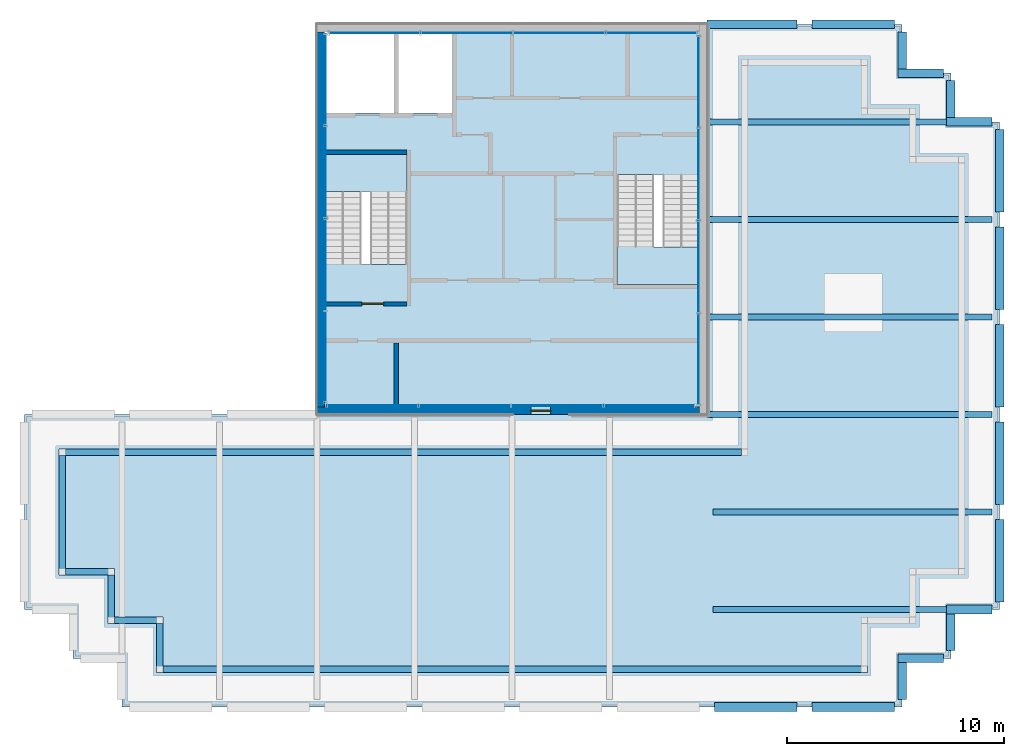
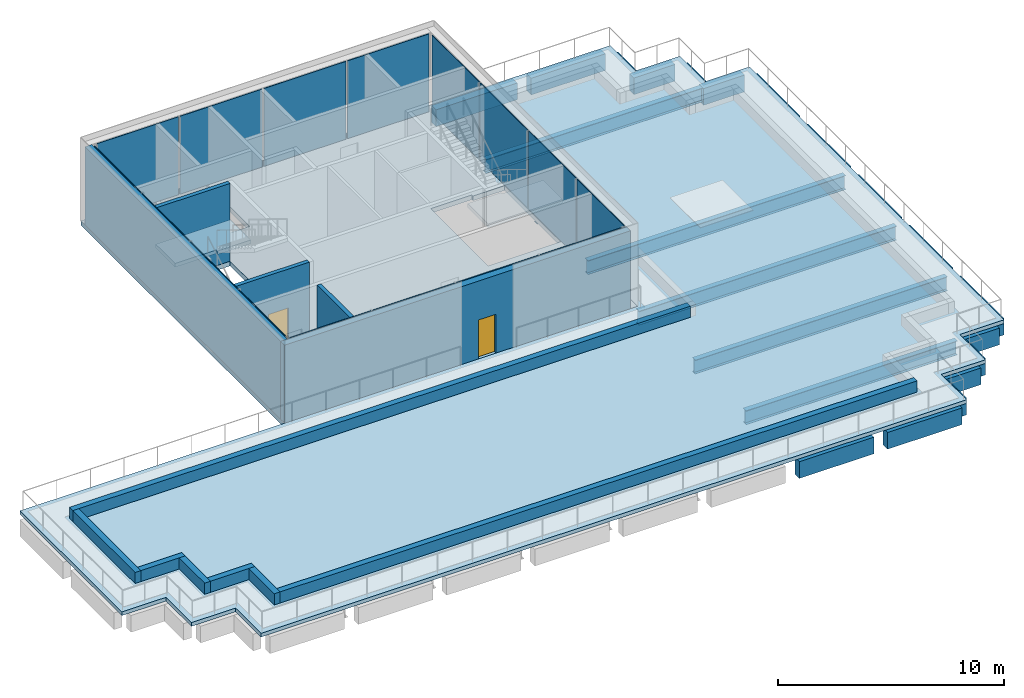
# One storey, part 8 of 11: 23 beams, 16 plates, 12 walls, 4 slabs, 2 doors, 2 openings, 6 elements without a shape of their own.
"""IFC4 building model written with IfcOpenShell, lengths in metres."""

from ifc_helpers import new_model, si_unit, direction, frame, frame_2d, origin, origin_2d, place, context, subcontext, project, spatial, polyline, rectangle, i_section, outline, extrude, material, layer, layer_set, material_profile, profile_set, type_object, element, fill, aggregate, save


model = new_model("IFC4")

# Units and contexts
model_context = context("Model", 3, precision=1e-05, world=origin(), true_north=direction((0.0, 1.0)))
body_context = subcontext(model_context, "Body", "Model", "MODEL_VIEW")
ifc_project = project(units=[si_unit("LENGTHUNIT", "METRE"), si_unit("AREAUNIT", "SQUARE_METRE"), si_unit("VOLUMEUNIT", "CUBIC_METRE"), si_unit("PLANEANGLEUNIT", "RADIAN"), si_unit("MASSUNIT", "GRAM", prefix="KILO")], contexts=[model_context])

# Site, building, storey
site_placement = place(None, origin())
site = spatial("IfcSite", under=ifc_project, at=site_placement, CompositionType="ELEMENT")
building_placement = place(site_placement, origin())
building = spatial("IfcBuilding", under=site, at=building_placement, Name="Altepetl Exchange Towers", CompositionType="ELEMENT")
storey_placement = place(building_placement, frame((0.0, 0.0, 274.60009765625)))
storey = spatial("IfcBuildingStorey", under=building, at=storey_placement, Name="L69 Crown plant", CompositionType="ELEMENT", Elevation=274.60009765625)

# Beams
ifc_material_1 = material(Name="Steel S355", Category="steel")
ifc_material_profile_1 = material_profile(ifc_material_1, i_section(OverallWidth=0.26611328125, OverallDepth=0.758056640625, WebThickness=0.013916015625, FlangeThickness=0.019287109375, at=origin_2d()), Name="W30X108")
ifc_profile_set_1 = profile_set([ifc_material_profile_1], Name="Steel S355")
beam_type_1 = type_object("IfcBeamType", Name="Floor beam W30X108", PredefinedType="BEAM", material=ifc_profile_set_1)
beam_1_placement = place(storey_placement, frame((58.77490234375, 31.5, -0.5791015625), z_axis=(1.0, 0.0, 0.0), x_axis=(0.0, 1.0, 0.0)))
element("IfcBeam", 1, at=beam_1_placement, inside=storey, type_object=beam_type_1, Name="bm:A:L69:t000", PredefinedType="BEAM", context=body_context, shape_type="SweptSolid", body=[
    extrude(i_section(OverallWidth=0.26611328125, OverallDepth=0.758056640625, WebThickness=0.013916015625, FlangeThickness=0.019287109375, at=origin_2d()), origin(), (0.0, 0.0, 1.0), 10.775146484375),
])
beam_2_placement = place(storey_placement, frame((58.77490234375, 36.0, -0.5791015625), z_axis=(1.0, 0.0, 0.0), x_axis=(0.0, 1.0, 0.0)))
element("IfcBeam", 2, at=beam_2_placement, inside=storey, type_object=beam_type_1, Name="bm:A:L69:t001", PredefinedType="BEAM", context=body_context, shape_type="SweptSolid", body=[
    extrude(i_section(OverallWidth=0.26611328125, OverallDepth=0.758056640625, WebThickness=0.013916015625, FlangeThickness=0.019287109375, at=origin_2d()), origin(), (0.0, 0.0, 1.0), 12.875),
])
for number, where, z_axis, x_axis, name in (
    (3, (58.5, 40.5, -0.5791015625), (1.0, 0.0, 0.0), (0.0, 1.0, 0.0), "bm:A:L69:t002"),
    (4, (58.5, 45.0, -0.5791015625), (1.0, 0.0, 0.0), (0.0, 1.0, 0.0), "bm:A:L69:t003"),
    (5, (58.5, 49.5, -0.5791015625), (1.0, 0.0, 0.0), (0.0, 1.0, 0.0), "bm:A:L69:t004"),
):
    element("IfcBeam", number, at=place(storey_placement, frame(where, z_axis=z_axis, x_axis=x_axis)), inside=storey, type_object=beam_type_1, Name=name, PredefinedType="BEAM", context=body_context, shape_type="SweptSolid", body=[
        extrude(i_section(OverallWidth=0.26611328125, OverallDepth=0.758056640625, WebThickness=0.013916015625, FlangeThickness=0.019287109375, at=origin_2d()), origin(), (0.0, 0.0, 1.0), 13.14990234375),
    ])
beam_3_placement = place(storey_placement, frame((58.5, 54.0, -0.5791015625), z_axis=(1.0, 0.0, 0.0), x_axis=(0.0, 1.0, 0.0)))
element("IfcBeam", 6, at=beam_3_placement, inside=storey, type_object=beam_type_1, Name="bm:A:L69:t005", PredefinedType="BEAM", context=body_context, shape_type="SweptSolid", body=[
    extrude(i_section(OverallWidth=0.26611328125, OverallDepth=0.758056640625, WebThickness=0.013916015625, FlangeThickness=0.019287109375, at=origin_2d()), origin(), (0.0, 0.0, 1.0), 11.050048828125),
])
ifc_material_2 = material(Name="Concrete C50/60 precast with cantera amarilla facing", Category="concrete")
ifc_material_profile_2 = material_profile(ifc_material_2, rectangle(XDim=0.39990234375, YDim=0.89990234375, at=origin_2d()), Name="400 x 900")
ifc_profile_set_2 = profile_set([ifc_material_profile_2], Name="Concrete C50/60 precast with cantera amarilla facing")
beam_type_2 = type_object("IfcBeamType", Name="Spandrel beam 400x900 cantera amarilla", PredefinedType="SPANDREL", material=ifc_profile_set_2)
for number, where, z_axis, x_axis, name in (
    (7, (58.85009765625, 27.0, -0.650146484375), (1.0, 0.0, 0.0), (0.0, 1.0, 0.0), "sp:A:L69:t006"),
    (8, (63.35009765625, 27.0, -0.650146484375), (1.0, 0.0, 0.0), (0.0, 1.0, 0.0), "sp:A:L69:t007"),
):
    element("IfcBeam", number, at=place(storey_placement, frame(where, z_axis=z_axis, x_axis=x_axis)), inside=storey, type_object=beam_type_2, Name=name, PredefinedType="SPANDREL", context=body_context, shape_type="SweptSolid", body=[
        extrude(rectangle(XDim=0.39990234375, YDim=0.89990234375, at=origin_2d()), origin(), (0.0, 0.0, 1.0), 3.7998046875),
    ])
beam_4_placement = place(storey_placement, frame((67.5, 27.35009765625, -0.650146484375), z_axis=(0.0, 1.0, 0.0), x_axis=(-1.0, 0.0, 0.0)))
element("IfcBeam", 9, at=beam_4_placement, inside=storey, type_object=beam_type_2, Name="sp:A:L69:t008", PredefinedType="SPANDREL", context=body_context, shape_type="SweptSolid", body=[
    extrude(rectangle(XDim=0.39990234375, YDim=0.89990234375, at=origin_2d()), origin(), (0.0, 0.0, 1.0), 1.699951171875),
])
beam_5_placement = place(storey_placement, frame((67.300048828125, 29.25, -0.650146484375), z_axis=(1.0, 0.0, 0.0), x_axis=(0.0, 1.0, 0.0)))
element("IfcBeam", 10, at=beam_5_placement, inside=storey, type_object=beam_type_2, Name="sp:A:L69:t009", PredefinedType="SPANDREL", context=body_context, shape_type="SweptSolid", body=[
    extrude(rectangle(XDim=0.39990234375, YDim=0.89990234375, at=origin_2d()), origin(), (0.0, 0.0, 1.0), 2.099853515625),
])
beam_6_placement = place(storey_placement, frame((69.75, 29.60009765625, -0.650146484375), z_axis=(0.0, 1.0, 0.0), x_axis=(-1.0, 0.0, 0.0)))
element("IfcBeam", 11, at=beam_6_placement, inside=storey, type_object=beam_type_2, Name="sp:A:L69:t010", PredefinedType="SPANDREL", context=body_context, shape_type="SweptSolid", body=[
    extrude(rectangle(XDim=0.39990234375, YDim=0.89990234375, at=origin_2d()), origin(), (0.0, 0.0, 1.0), 1.699951171875),
])
beam_7_placement = place(storey_placement, frame((69.550048828125, 31.5, -0.650146484375), z_axis=(1.0, 0.0, 0.0), x_axis=(0.0, 1.0, 0.0)))
element("IfcBeam", 12, at=beam_7_placement, inside=storey, type_object=beam_type_2, Name="sp:A:L69:t011", PredefinedType="SPANDREL", context=body_context, shape_type="SweptSolid", body=[
    extrude(rectangle(XDim=0.39990234375, YDim=0.89990234375, at=origin_2d()), origin(), (0.0, 0.0, 1.0), 2.099853515625),
])
for number, where, z_axis, x_axis, name in (
    (13, (72.0, 31.85009765625, -0.650146484375), (0.0, 1.0, 0.0), (-1.0, 0.0, 0.0), "sp:A:L69:t012"),
    (14, (72.0, 36.35009765625, -0.650146484375), (0.0, 1.0, 0.0), (-1.0, 0.0, 0.0), "sp:A:L69:t013"),
    (15, (72.0, 40.85009765625, -0.650146484375), (0.0, 1.0, 0.0), (-1.0, 0.0, 0.0), "sp:A:L69:t014"),
    (16, (72.0, 45.35009765625, -0.650146484375), (0.0, 1.0, 0.0), (-1.0, 0.0, 0.0), "sp:A:L69:t015"),
    (17, (72.0, 49.85009765625, -0.650146484375), (0.0, 1.0, 0.0), (-1.0, 0.0, 0.0), "sp:A:L69:t016"),
):
    element("IfcBeam", number, at=place(storey_placement, frame(where, z_axis=z_axis, x_axis=x_axis)), inside=storey, type_object=beam_type_2, Name=name, PredefinedType="SPANDREL", context=body_context, shape_type="SweptSolid", body=[
        extrude(rectangle(XDim=0.39990234375, YDim=0.89990234375, at=origin_2d()), origin(), (0.0, 0.0, 1.0), 3.7998046875),
    ])
beam_8_placement = place(storey_placement, frame((71.64990234375, 54.0, -0.650146484375), z_axis=(-1.0, 0.0, 0.0), x_axis=(0.0, -1.0, 0.0)))
element("IfcBeam", 18, at=beam_8_placement, inside=storey, type_object=beam_type_2, Name="sp:A:L69:t017", PredefinedType="SPANDREL", context=body_context, shape_type="SweptSolid", body=[
    extrude(rectangle(XDim=0.39990234375, YDim=0.89990234375, at=origin_2d()), origin(), (0.0, 0.0, 1.0), 2.099853515625),
])
beam_9_placement = place(storey_placement, frame((69.75, 54.199951171875, -0.650146484375), z_axis=(0.0, 1.0, 0.0), x_axis=(-1.0, 0.0, 0.0)))
element("IfcBeam", 19, at=beam_9_placement, inside=storey, type_object=beam_type_2, Name="sp:A:L69:t018", PredefinedType="SPANDREL", context=body_context, shape_type="SweptSolid", body=[
    extrude(rectangle(XDim=0.39990234375, YDim=0.89990234375, at=origin_2d()), origin(), (0.0, 0.0, 1.0), 1.699951171875),
])
beam_10_placement = place(storey_placement, frame((69.39990234375, 56.25, -0.650146484375), z_axis=(-1.0, 0.0, 0.0), x_axis=(0.0, -1.0, 0.0)))
element("IfcBeam", 20, at=beam_10_placement, inside=storey, type_object=beam_type_2, Name="sp:A:L69:t019", PredefinedType="SPANDREL", context=body_context, shape_type="SweptSolid", body=[
    extrude(rectangle(XDim=0.39990234375, YDim=0.89990234375, at=origin_2d()), origin(), (0.0, 0.0, 1.0), 2.099853515625),
])
beam_11_placement = place(storey_placement, frame((67.5, 56.449951171875, -0.650146484375), z_axis=(0.0, 1.0, 0.0), x_axis=(-1.0, 0.0, 0.0)))
element("IfcBeam", 21, at=beam_11_placement, inside=storey, type_object=beam_type_2, Name="sp:A:L69:t020", PredefinedType="SPANDREL", context=body_context, shape_type="SweptSolid", body=[
    extrude(rectangle(XDim=0.39990234375, YDim=0.89990234375, at=origin_2d()), origin(), (0.0, 0.0, 1.0), 1.699951171875),
])
ifc_material_3 = material(Name="Concrete C50/60 precast with cantera rosa facing", Category="concrete")
ifc_material_profile_3 = material_profile(ifc_material_3, rectangle(XDim=0.39990234375, YDim=0.89990234375, at=origin_2d()), Name="400 x 900")
ifc_profile_set_3 = profile_set([ifc_material_profile_3], Name="Concrete C50/60 precast with cantera rosa facing")
beam_type_3 = type_object("IfcBeamType", Name="Spandrel beam 400x900 cantera rosa", PredefinedType="SPANDREL", material=ifc_profile_set_3)
beam_12_placement = place(storey_placement, frame((67.14990234375, 58.5, -0.650146484375), z_axis=(-1.0, 0.0, 0.0), x_axis=(0.0, -1.0, 0.0)))
element("IfcBeam", 22, at=beam_12_placement, inside=storey, type_object=beam_type_3, Name="sp:A:L69:t021", PredefinedType="SPANDREL", context=body_context, shape_type="SweptSolid", body=[
    extrude(rectangle(XDim=0.39990234375, YDim=0.89990234375, at=origin_2d()), origin(), (0.0, 0.0, 1.0), 3.7998046875),
])
beam_13_placement = place(storey_placement, frame((62.64990234375, 58.5, -0.650146484375), z_axis=(-1.0, 0.0, 0.0), x_axis=(0.0, -1.0, 0.0)))
element("IfcBeam", 23, at=beam_13_placement, inside=storey, type_object=beam_type_3, Name="sp:A:L69:t022", PredefinedType="SPANDREL", context=body_context, shape_type="SweptSolid", body=[
    extrude(rectangle(XDim=0.39990234375, YDim=0.89990234375, at=origin_2d()), origin(), (0.0, 0.0, 1.0), 4.14990234375),
])

# Slab
ifc_material_4 = material(Name="Concrete C40/50", Category="concrete")
ifc_layer_1 = layer(ifc_material_4, 0.25)
ifc_layer_set_1 = layer_set([ifc_layer_1], Name="Concrete C40/50")
slab_type_1 = type_object("IfcSlabType", Name="Core floor slab 250", PredefinedType="FLOOR", material=ifc_layer_set_1)
slab_1_placement = place(storey_placement, frame((0.0, 0.0, -0.25)))
element("IfcSlab", 24, at=slab_1_placement, inside=storey, type_object=slab_type_1, Name="slab:A:L69:core0", PredefinedType="FLOOR", context=body_context, shape_type="SweptSolid", body=[
    extrude(outline(polyline([(40.5, 40.5), (58.5, 40.5), (58.5, 58.5), (40.5, 58.5), (40.5, 40.5)]), holes=[polyline([(54.35009765625, 46.5), (54.35009765625, 51.5791015625), (56.449951171875, 51.5791015625), (56.449951171875, 51.47998046875), (58.050048828125, 51.47998046875), (58.050048828125, 46.5), (54.35009765625, 46.5)]), polyline([(44.64990234375, 52.5), (44.64990234375, 47.4208984375), (42.550048828125, 47.4208984375), (42.550048828125, 47.52001953125), (40.949951171875, 47.52001953125), (40.949951171875, 52.5), (44.64990234375, 52.5)]), polyline([(40.85009765625, 54.39990234375), (40.85009765625, 58.14990234375), (44.06689453125, 58.14990234375), (44.06689453125, 54.39990234375), (40.85009765625, 54.39990234375)]), polyline([(44.26708984375, 54.39990234375), (44.26708984375, 58.14990234375), (46.73291015625, 58.14990234375), (46.73291015625, 54.39990234375), (44.26708984375, 54.39990234375)])]), origin(), (0.0, 0.0, 1.0), 0.25),
])

# Curtain wall, plates
ifc_material_5 = material(Name="Aluminium 6063-T6 glazing", Category="aluminium")
curtain_wall_type = type_object("IfcCurtainWallType", Name="Crown glazing system", PredefinedType="NOTDEFINED", material=ifc_material_5)
curtain_wall_1_placement = place(storey_placement, origin())
curtain_wall_1 = element("IfcCurtainWall", 25, at=curtain_wall_1_placement, inside=storey, type_object=curtain_wall_type, Name="CW7 run", PredefinedType="NOTDEFINED")
ifc_material_6 = material(Name="Glass 8-20-8 solar control", Category="glass")
ifc_layer_2 = layer(ifc_material_6, 0.035888671875)
ifc_layer_set_2 = layer_set([ifc_layer_2], Name="Glass 8-20-8 solar control")
plate_type = type_object("IfcPlateType", Name="Glass panel 36 double glazed", PredefinedType="CURTAIN_PANEL", material=ifc_layer_set_2)
plate_1_placement = place(storey_placement, frame((58.10009765625, 43.0576171875, 0.0), z_axis=(0.0, 0.0, 1.0), x_axis=(0.0, 1.0, 0.0)))
plate_1 = element("IfcPlate", 26, at=plate_1_placement, type_object=plate_type, Name="GP2 panel", PredefinedType="CURTAIN_PANEL", context=body_context, shape_type="SweptSolid", body=[
    extrude(rectangle(XDim=4.155029296875, YDim=0.035888671875, at=origin_2d()), origin(), (0.0, 0.0, 1.0), 4.199951171875),
])
plate_2_placement = place(storey_placement, frame((58.10009765625, 47.3125, 0.0), z_axis=(0.0, 0.0, 1.0), x_axis=(0.0, 1.0, 0.0)))
plate_2 = element("IfcPlate", 27, at=plate_2_placement, type_object=plate_type, Name="GP2 panel", PredefinedType="CURTAIN_PANEL", context=body_context, shape_type="SweptSolid", body=[
    extrude(rectangle(XDim=4.195068359375, YDim=0.035888671875, at=origin_2d()), origin(), (0.0, 0.0, 1.0), 4.199951171875),
])
plate_3_placement = place(storey_placement, frame((58.10009765625, 51.58740234375, 0.0), z_axis=(0.0, 0.0, 1.0), x_axis=(0.0, 1.0, 0.0)))
plate_3 = element("IfcPlate", 28, at=plate_3_placement, type_object=plate_type, Name="GP2 panel", PredefinedType="CURTAIN_PANEL", context=body_context, shape_type="SweptSolid", body=[
    extrude(rectangle(XDim=4.195068359375, YDim=0.035888671875, at=origin_2d()), origin(), (0.0, 0.0, 1.0), 4.199951171875),
])
plate_4_placement = place(storey_placement, frame((58.10009765625, 55.842529296875, 0.0), z_axis=(0.0, 0.0, 1.0), x_axis=(0.0, 1.0, 0.0)))
plate_4 = element("IfcPlate", 29, at=plate_4_placement, type_object=plate_type, Name="GP2 panel", PredefinedType="CURTAIN_PANEL", context=body_context, shape_type="SweptSolid", body=[
    extrude(rectangle(XDim=4.155029296875, YDim=0.035888671875, at=origin_2d()), origin(), (0.0, 0.0, 1.0), 4.199951171875),
])
aggregate(curtain_wall_1, [plate_1, plate_2, plate_3, plate_4])

curtain_wall_2_placement = place(storey_placement, origin())
curtain_wall_2 = element("IfcCurtainWall", 30, at=curtain_wall_2_placement, inside=storey, type_object=curtain_wall_type, Name="CW7 run", PredefinedType="NOTDEFINED")
plate_5_placement = place(storey_placement, frame((55.9423828125, 58.10009765625, 0.0), z_axis=(0.0, 0.0, 1.0), x_axis=(-1.0, 0.0, 0.0)))
plate_5 = element("IfcPlate", 31, at=plate_5_placement, type_object=plate_type, Name="GP2 panel", PredefinedType="CURTAIN_PANEL", context=body_context, shape_type="SweptSolid", body=[
    extrude(rectangle(XDim=4.155029296875, YDim=0.035888671875, at=origin_2d()), origin(), (0.0, 0.0, 1.0), 4.199951171875),
])
plate_6_placement = place(storey_placement, frame((51.6875, 58.10009765625, 0.0), z_axis=(0.0, 0.0, 1.0), x_axis=(-1.0, 0.0, 0.0)))
plate_6 = element("IfcPlate", 32, at=plate_6_placement, type_object=plate_type, Name="GP2 panel", PredefinedType="CURTAIN_PANEL", context=body_context, shape_type="SweptSolid", body=[
    extrude(rectangle(XDim=4.195068359375, YDim=0.035888671875, at=origin_2d()), origin(), (0.0, 0.0, 1.0), 4.199951171875),
])
plate_7_placement = place(storey_placement, frame((47.41259765625, 58.10009765625, 0.0), z_axis=(0.0, 0.0, 1.0), x_axis=(-1.0, 0.0, 0.0)))
plate_7 = element("IfcPlate", 33, at=plate_7_placement, type_object=plate_type, Name="GP2 panel", PredefinedType="CURTAIN_PANEL", context=body_context, shape_type="SweptSolid", body=[
    extrude(rectangle(XDim=4.195068359375, YDim=0.035888671875, at=origin_2d()), origin(), (0.0, 0.0, 1.0), 4.199951171875),
])
plate_8_placement = place(storey_placement, frame((43.157470703125, 58.10009765625, 0.0), z_axis=(0.0, 0.0, 1.0), x_axis=(-1.0, 0.0, 0.0)))
plate_8 = element("IfcPlate", 34, at=plate_8_placement, type_object=plate_type, Name="GP2 panel", PredefinedType="CURTAIN_PANEL", context=body_context, shape_type="SweptSolid", body=[
    extrude(rectangle(XDim=4.155029296875, YDim=0.035888671875, at=origin_2d()), origin(), (0.0, 0.0, 1.0), 4.199951171875),
])
aggregate(curtain_wall_2, [plate_5, plate_6, plate_7, plate_8])

curtain_wall_3_placement = place(storey_placement, origin())
curtain_wall_3 = element("IfcCurtainWall", 35, at=curtain_wall_3_placement, inside=storey, type_object=curtain_wall_type, Name="CW7 run", PredefinedType="NOTDEFINED")
plate_9_placement = place(storey_placement, frame((40.89990234375, 55.9423828125, 0.0), z_axis=(0.0, 0.0, 1.0), x_axis=(0.0, -1.0, 0.0)))
plate_9 = element("IfcPlate", 36, at=plate_9_placement, type_object=plate_type, Name="GP2 panel", PredefinedType="CURTAIN_PANEL", context=body_context, shape_type="SweptSolid", body=[
    extrude(rectangle(XDim=4.155029296875, YDim=0.035888671875, at=origin_2d()), origin(), (0.0, 0.0, 1.0), 4.199951171875),
])
plate_10_placement = place(storey_placement, frame((40.89990234375, 51.6875, 0.0), z_axis=(0.0, 0.0, 1.0), x_axis=(0.0, -1.0, 0.0)))
plate_10 = element("IfcPlate", 37, at=plate_10_placement, type_object=plate_type, Name="GP2 panel", PredefinedType="CURTAIN_PANEL", context=body_context, shape_type="SweptSolid", body=[
    extrude(rectangle(XDim=4.195068359375, YDim=0.035888671875, at=origin_2d()), origin(), (0.0, 0.0, 1.0), 4.199951171875),
])
plate_11_placement = place(storey_placement, frame((40.89990234375, 47.41259765625, 0.0), z_axis=(0.0, 0.0, 1.0), x_axis=(0.0, -1.0, 0.0)))
plate_11 = element("IfcPlate", 38, at=plate_11_placement, type_object=plate_type, Name="GP2 panel", PredefinedType="CURTAIN_PANEL", context=body_context, shape_type="SweptSolid", body=[
    extrude(rectangle(XDim=4.195068359375, YDim=0.035888671875, at=origin_2d()), origin(), (0.0, 0.0, 1.0), 4.199951171875),
])
plate_12_placement = place(storey_placement, frame((40.89990234375, 43.157470703125, 0.0), z_axis=(0.0, 0.0, 1.0), x_axis=(0.0, -1.0, 0.0)))
plate_12 = element("IfcPlate", 39, at=plate_12_placement, type_object=plate_type, Name="GP2 panel", PredefinedType="CURTAIN_PANEL", context=body_context, shape_type="SweptSolid", body=[
    extrude(rectangle(XDim=4.155029296875, YDim=0.035888671875, at=origin_2d()), origin(), (0.0, 0.0, 1.0), 4.199951171875),
])
aggregate(curtain_wall_3, [plate_9, plate_10, plate_11, plate_12])

curtain_wall_4_placement = place(storey_placement, origin())
curtain_wall_4 = element("IfcCurtainWall", 40, at=curtain_wall_4_placement, inside=storey, type_object=curtain_wall_type, Name="CW7 run", PredefinedType="NOTDEFINED")
plate_13_placement = place(storey_placement, frame((43.0576171875, 40.89990234375, 0.0)))
plate_13 = element("IfcPlate", 41, at=plate_13_placement, type_object=plate_type, Name="GP2 panel", PredefinedType="CURTAIN_PANEL", context=body_context, shape_type="SweptSolid", body=[
    extrude(rectangle(XDim=4.155029296875, YDim=0.035888671875, at=origin_2d()), origin(), (0.0, 0.0, 1.0), 4.199951171875),
])
plate_14_placement = place(storey_placement, frame((47.3125, 40.89990234375, 0.0)))
plate_14 = element("IfcPlate", 42, at=plate_14_placement, type_object=plate_type, Name="GP2 panel", PredefinedType="CURTAIN_PANEL", context=body_context, shape_type="SweptSolid", body=[
    extrude(rectangle(XDim=4.195068359375, YDim=0.035888671875, at=origin_2d()), origin(), (0.0, 0.0, 1.0), 4.199951171875),
])
plate_15_placement = place(storey_placement, frame((51.58740234375, 40.89990234375, 0.0)))
plate_15 = element("IfcPlate", 43, at=plate_15_placement, type_object=plate_type, Name="GP2 panel", PredefinedType="CURTAIN_PANEL", context=body_context, shape_type="SweptSolid", body=[
    extrude(rectangle(XDim=4.195068359375, YDim=0.035888671875, at=origin_2d()), origin(), (0.0, 0.0, 1.0), 4.199951171875),
])
plate_16_placement = place(storey_placement, frame((55.842529296875, 40.89990234375, 0.0)))
plate_16 = element("IfcPlate", 44, at=plate_16_placement, type_object=plate_type, Name="GP2 panel", PredefinedType="CURTAIN_PANEL", context=body_context, shape_type="SweptSolid", body=[
    extrude(rectangle(XDim=4.155029296875, YDim=0.035888671875, at=origin_2d()), origin(), (0.0, 0.0, 1.0), 4.199951171875),
])
aggregate(curtain_wall_4, [plate_13, plate_14, plate_15, plate_16])

# Slab
ifc_layer_3 = layer(ifc_material_4, 0.199951171875)
ifc_layer_set_3 = layer_set([ifc_layer_3], Name="Concrete C40/50")
slab_type_2 = type_object("IfcSlabType", Name="Green roof slab 200", PredefinedType="ROOF", material=ifc_layer_set_3)
slab_2_placement = place(storey_placement, frame((0.0, 0.0, -0.2001953125)))
element("IfcSlab", 45, at=slab_2_placement, inside=storey, type_object=slab_type_2, Name="slab:A:L69:terrace0", PredefinedType="ROOF", context=body_context, shape_type="SweptSolid", body=[
    extrude(outline(polyline([(58.5, 40.5), (40.5, 40.5), (27.0, 40.5), (27.0, 31.5), (29.25, 31.5), (29.25, 29.25), (31.5, 29.25), (31.5, 27.0), (58.5, 27.0), (67.5, 27.0), (67.5, 29.25), (69.75, 29.25), (69.75, 31.5), (72.0, 31.5), (72.0, 54.0), (69.75, 54.0), (69.75, 56.25), (67.5, 56.25), (67.5, 58.5), (58.5, 58.5), (58.5, 40.5)])), origin(), (0.0, 0.0, 1.0), 0.2001953125),
])

# Stair, slab
stair_type = type_object("IfcStairType", Name="Exit stair 1700 flights dogleg", PredefinedType="HALF_TURN_STAIR", material=ifc_material_4)
stair_1_placement = place(storey_placement, origin())
stair_1 = element("IfcStair", 46, at=stair_1_placement, inside=storey, type_object=stair_type, Name="Exit stair 1", PredefinedType="HALF_TURN_STAIR")
ifc_layer_4 = layer(ifc_material_4, 0.199951171875)
ifc_layer_set_4 = layer_set([ifc_layer_4], Name="Concrete C40/50")
slab_type_3 = type_object("IfcSlabType", Name="Stair landing 200 reinforced concrete", PredefinedType="LANDING", material=ifc_layer_set_4)
slab_3_placement = place(storey_placement, frame((0.0, 0.0, 2.0498046875)))
slab_3 = element("IfcSlab", 47, at=slab_3_placement, type_object=slab_type_3, Name="ST-A1i landing 1", PredefinedType="LANDING", context=body_context, shape_type="SweptSolid", body=[
    extrude(outline(polyline([(44.64990234375, 50.679931640625), (42.949951171875, 50.679931640625), (42.949951171875, 50.780029296875), (42.550048828125, 50.780029296875), (42.550048828125, 50.779296875), (40.85009765625, 50.779296875), (40.85009765625, 50.780029296875), (40.85009765625, 52.5), (44.64990234375, 52.5), (44.64990234375, 50.780029296875), (44.64990234375, 50.679931640625)])), origin(), (0.0, 0.0, 1.0), 0.2001953125),
])
aggregate(stair_1, [slab_3])

stair_2_placement = place(storey_placement, origin())
stair_2 = element("IfcStair", 48, at=stair_2_placement, inside=storey, type_object=stair_type, Name="Exit stair 2", PredefinedType="HALF_TURN_STAIR")
slab_4_placement = place(storey_placement, frame((0.0, 0.0, 2.0498046875)))
slab_4 = element("IfcSlab", 49, at=slab_4_placement, type_object=slab_type_3, Name="ST-A2i landing 1", PredefinedType="LANDING", context=body_context, shape_type="SweptSolid", body=[
    extrude(outline(polyline([(58.14990234375, 46.5), (54.35009765625, 46.5), (54.35009765625, 48.219970703125), (54.35009765625, 48.320068359375), (56.050048828125, 48.320068359375), (56.050048828125, 48.219970703125), (56.449951171875, 48.219970703125), (56.449951171875, 48.220703125), (58.14990234375, 48.220703125), (58.14990234375, 48.219970703125), (58.14990234375, 46.5)])), origin(), (0.0, 0.0, 1.0), 0.2001953125),
])
aggregate(stair_2, [slab_4])

# Wall, opening, door
ifc_material_7 = material(Name="Concrete C70/85", Category="concrete")
ifc_layer_5 = layer(ifc_material_7, 0.35009765625)
ifc_layer_set_5 = layer_set([ifc_layer_5], Name="Concrete C70/85")
wall_type_1 = type_object("IfcWallType", Name="Core wall 350 reinforced concrete external", PredefinedType="SHEAR", material=ifc_layer_set_5)
wall_1_placement = place(storey_placement, frame((40.5, 40.675048828125, 0.0)))
wall_1 = element("IfcWall", 50, at=wall_1_placement, inside=storey, type_object=wall_type_1, Name="wall:A:L69:K-coreS", PredefinedType="SHEAR", context=body_context, shape_type="SweptSolid", body=[
    extrude(rectangle(XDim=17.64990234375, YDim=0.35009765625, at=frame_2d((8.824951171875, 0.0))), origin(), (0.0, 0.0, 1.0), 4.199951171875),
])
opening_1_placement = place(wall_1_placement, frame((9.88330078125, 0.0, 0.0)))
opening_1 = element("IfcOpeningElement", 51, at=opening_1_placement, cuts=wall_1, Name="Opening L69.A60", PredefinedType="OPENING", context=body_context, shape_type="SweptSolid", body=[
    extrude(rectangle(XDim=0.89990234375, YDim=2.10009765625, at=frame_2d((0.449951171875, 1.050048828125))), frame((0.0, 0.18505859375, 0.0), z_axis=(0.0, -1.0, 0.0), x_axis=(1.0, 0.0, 0.0)), (0.0, 0.0, 1.0), 0.3701171875),
])
ifc_material_8 = material(Name="Steel and timber fire door", Category="steel")
door_type_1 = type_object("IfcDoorType", Name="Fire door 900 x 2100 service room", OperationType="SINGLE_SWING_LEFT", PredefinedType="DOOR", material=ifc_material_8)
door_1_placement = place(opening_1_placement, frame((0.89990234375, 0.0, 0.0), x_axis=(-1.0, 0.0, 0.0)))
door_1 = element("IfcDoor", 52, at=door_1_placement, inside=storey, type_object=door_type_1, Name="Crown terrace door", OperationType="SINGLE_SWING_LEFT", OverallHeight=2.10009765625, OverallWidth=0.89990234375, PredefinedType="DOOR", context=body_context, shape_type="SweptSolid", body=[
    extrude(rectangle(XDim=0.89990234375, YDim=2.10009765625, at=frame_2d((0.449951171875, 1.050048828125))), frame((0.0, 0.02490234375, 0.0), z_axis=(0.0, -1.0, 0.0), x_axis=(1.0, 0.0, 0.0)), (0.0, 0.0, 1.0), 0.050048828125),
])
fill(opening_1, door_1)

# Walls
wall_2_placement = place(storey_placement, frame((40.675048828125, 40.85009765625, 0.0), z_axis=(0.0, 0.0, 1.0), x_axis=(0.0, 1.0, 0.0)))
element("IfcWall", 53, at=wall_2_placement, inside=storey, type_object=wall_type_1, Name="wall:A:L69:K-coreW", PredefinedType="SHEAR", context=body_context, shape_type="SweptSolid", body=[
    extrude(rectangle(XDim=17.2998046875, YDim=0.35009765625, at=frame_2d((8.64990234375, 0.0))), origin(), (0.0, 0.0, 1.0), 4.199951171875),
])
ifc_material_9 = material(Name="Concrete C30/37", Category="concrete")
ifc_layer_6 = layer(ifc_material_9, 0.300048828125)
ifc_layer_set_6 = layer_set([ifc_layer_6], Name="Concrete C30/37")
wall_type_2 = type_object("IfcWallType", Name="Planter wall 300 concrete", PredefinedType="SOLIDWALL", material=ifc_layer_set_6)
wall_3_placement = place(storey_placement, frame((60.10009765625, 38.75, 0.0), z_axis=(0.0, 0.0, 1.0), x_axis=(-1.0, 0.0, 0.0)))
element("IfcWall", 54, at=wall_3_placement, inside=storey, type_object=wall_type_2, Name="Planter bed wall", PredefinedType="SOLIDWALL", context=body_context, shape_type="SweptSolid", body=[
    extrude(rectangle(XDim=31.5, YDim=0.300048828125, at=frame_2d((15.75, 0.0))), origin(), (0.0, 0.0, 1.0), 0.599853515625),
])
wall_4_placement = place(storey_placement, frame((28.75, 38.60009765625, 0.0), z_axis=(0.0, 0.0, 1.0), x_axis=(0.0, -1.0, 0.0)))
element("IfcWall", 55, at=wall_4_placement, inside=storey, type_object=wall_type_2, Name="Planter bed wall", PredefinedType="SOLIDWALL", context=body_context, shape_type="SweptSolid", body=[
    extrude(rectangle(XDim=5.5, YDim=0.300048828125, at=frame_2d((2.75, 0.0))), origin(), (0.0, 0.0, 1.0), 0.599853515625),
])
wall_5_placement = place(storey_placement, frame((28.89990234375, 33.25, 0.0)))
element("IfcWall", 56, at=wall_5_placement, inside=storey, type_object=wall_type_2, Name="Planter bed wall", PredefinedType="SOLIDWALL", context=body_context, shape_type="SweptSolid", body=[
    extrude(rectangle(XDim=2.25, YDim=0.300048828125, at=frame_2d((1.125, 0.0))), origin(), (0.0, 0.0, 1.0), 0.599853515625),
])
wall_6_placement = place(storey_placement, frame((31.0, 33.10009765625, 0.0), z_axis=(0.0, 0.0, 1.0), x_axis=(0.0, -1.0, 0.0)))
element("IfcWall", 57, at=wall_6_placement, inside=storey, type_object=wall_type_2, Name="Planter bed wall", PredefinedType="SOLIDWALL", context=body_context, shape_type="SweptSolid", body=[
    extrude(rectangle(XDim=2.25, YDim=0.300048828125, at=frame_2d((1.125, 0.0))), origin(), (0.0, 0.0, 1.0), 0.599853515625),
])
wall_7_placement = place(storey_placement, frame((31.14990234375, 31.0, 0.0)))
element("IfcWall", 58, at=wall_7_placement, inside=storey, type_object=wall_type_2, Name="Planter bed wall", PredefinedType="SOLIDWALL", context=body_context, shape_type="SweptSolid", body=[
    extrude(rectangle(XDim=2.25, YDim=0.300048828125, at=frame_2d((1.125, 0.0))), origin(), (0.0, 0.0, 1.0), 0.599853515625),
])
wall_8_placement = place(storey_placement, frame((33.25, 30.85009765625, 0.0), z_axis=(0.0, 0.0, 1.0), x_axis=(0.0, -1.0, 0.0)))
element("IfcWall", 59, at=wall_8_placement, inside=storey, type_object=wall_type_2, Name="Planter bed wall", PredefinedType="SOLIDWALL", context=body_context, shape_type="SweptSolid", body=[
    extrude(rectangle(XDim=2.25, YDim=0.300048828125, at=frame_2d((1.125, 0.0))), origin(), (0.0, 0.0, 1.0), 0.599853515625),
])
wall_9_placement = place(storey_placement, frame((33.39990234375, 28.75, 0.0)))
element("IfcWall", 60, at=wall_9_placement, inside=storey, type_object=wall_type_2, Name="Planter bed wall", PredefinedType="SOLIDWALL", context=body_context, shape_type="SweptSolid", body=[
    extrude(rectangle(XDim=32.5, YDim=0.300048828125, at=frame_2d((16.25, 0.0))), origin(), (0.0, 0.0, 1.0), 0.599853515625),
])
ifc_layer_7 = layer(ifc_material_4, 0.199951171875)
ifc_layer_set_7 = layer_set([ifc_layer_7], Name="Concrete C40/50")
wall_type_3 = type_object("IfcWallType", Name="Shaft wall 200 reinforced concrete", PredefinedType="SHEAR", material=ifc_layer_set_7)
wall_10_placement = place(storey_placement, frame((44.166748046875, 40.85009765625, 0.0), z_axis=(0.0, 0.0, 1.0), x_axis=(0.0, 1.0, 0.0)))
element("IfcWall", 61, at=wall_10_placement, inside=storey, type_object=wall_type_3, Name="wall:A:L69:K-divS1", PredefinedType="SHEAR", context=body_context, shape_type="SweptSolid", body=[
    extrude(rectangle(XDim=2.949951171875, YDim=0.199951171875, at=frame_2d((1.47509765625, 0.0))), origin(), (0.0, 0.0, 1.0), 4.199951171875),
])
ifc_layer_8 = layer(ifc_material_4, 0.199951171875)
ifc_layer_set_8 = layer_set([ifc_layer_8], Name="Concrete C40/50")
wall_type_4 = type_object("IfcWallType", Name="Stair wall 200 reinforced concrete", PredefinedType="SHEAR", material=ifc_layer_set_8)
wall_11_placement = place(storey_placement, frame((40.85009765625, 52.60009765625, 0.0)))
element("IfcWall", 62, at=wall_11_placement, inside=storey, type_object=wall_type_4, Name="wall:A:L69:K-stS1N", PredefinedType="SHEAR", context=body_context, shape_type="SweptSolid", body=[
    extrude(rectangle(XDim=3.7998046875, YDim=0.199951171875, at=frame_2d((1.89990234375, 0.0))), origin(), (0.0, 0.0, 1.0), 4.199951171875),
])

# Wall, opening, door
wall_12_placement = place(storey_placement, frame((40.85009765625, 45.60009765625, 0.0)))
wall_12 = element("IfcWall", 63, at=wall_12_placement, inside=storey, type_object=wall_type_4, Name="wall:A:L69:K-stS1S", PredefinedType="SHEAR", context=body_context, shape_type="SweptSolid", body=[
    extrude(rectangle(XDim=3.7998046875, YDim=0.199951171875, at=frame_2d((1.89990234375, 0.0))), origin(), (0.0, 0.0, 1.0), 4.199951171875),
])
opening_2_placement = place(wall_12_placement, frame((1.72509765625, 0.0, 0.0)))
opening_2 = element("IfcOpeningElement", 64, at=opening_2_placement, cuts=wall_12, Name="Opening L69.A61", PredefinedType="OPENING", context=body_context, shape_type="SweptSolid", body=[
    extrude(rectangle(XDim=1.0, YDim=2.10009765625, at=frame_2d((0.5, 1.050048828125))), frame((0.0, 0.10986328125, 0.0), z_axis=(0.0, -1.0, 0.0), x_axis=(1.0, 0.0, 0.0)), (0.0, 0.0, 1.0), 0.219970703125),
])
door_type_2 = type_object("IfcDoorType", Name="Fire door 1000 x 2100 stair and lobby", OperationType="SINGLE_SWING_LEFT", PredefinedType="DOOR", material=ifc_material_8)
door_2_placement = place(opening_2_placement, origin())
door_2 = element("IfcDoor", 65, at=door_2_placement, inside=storey, type_object=door_type_2, Name="door:A:L69:K-dS1in", OperationType="SINGLE_SWING_RIGHT", OverallHeight=2.10009765625, OverallWidth=1.0, PredefinedType="DOOR", context=body_context, shape_type="SweptSolid", body=[
    extrude(rectangle(XDim=1.0, YDim=2.10009765625, at=frame_2d((0.5, 1.050048828125))), frame((0.0, 0.02490234375, 0.0), z_axis=(0.0, -1.0, 0.0), x_axis=(1.0, 0.0, 0.0)), (0.0, 0.0, 1.0), 0.050048828125),
])
fill(opening_2, door_2)

save(model, "model.ifc")
